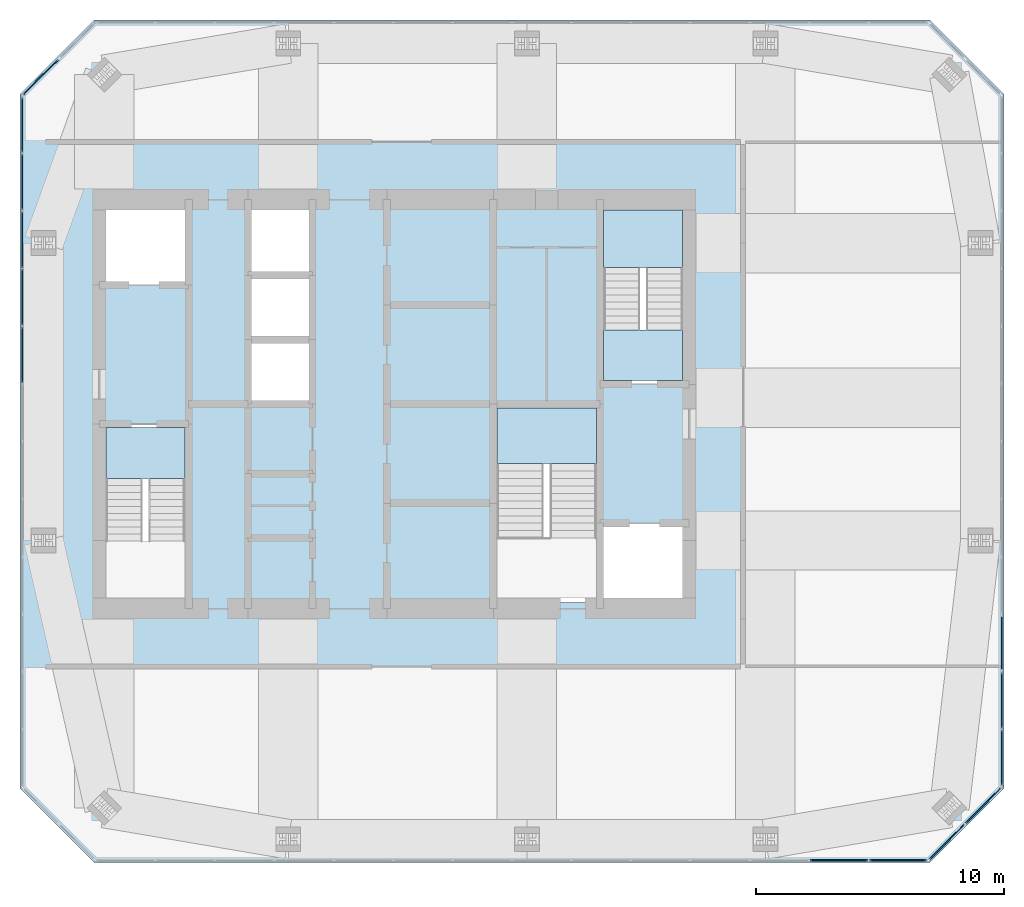
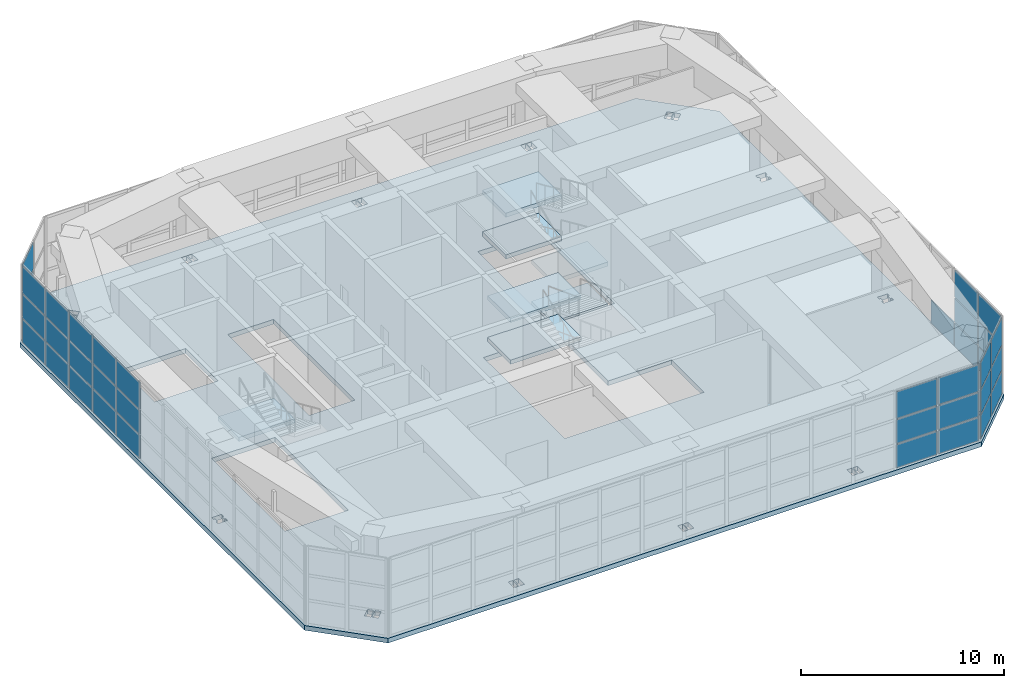
# One storey, part 9 of 14: 37 plates, 8 slabs, 8 elements without a shape of their own.
"""IFC4 building model written with IfcOpenShell, lengths in metres."""

from ifc_helpers import new_model, si_unit, direction, frame, origin, origin_2d, place, context, subcontext, project, spatial, polyline, rectangle, outline, extrude, material, layer, layer_set, type_object, element, aggregate, save


model = new_model("IFC4")

# Units and contexts
model_context = context("Model", 3, precision=1e-05, world=origin(), true_north=direction((0.0, 1.0)))
body_context = subcontext(model_context, "Body", "Model", "MODEL_VIEW")
ifc_project = project(units=[si_unit("LENGTHUNIT", "METRE"), si_unit("AREAUNIT", "SQUARE_METRE"), si_unit("VOLUMEUNIT", "CUBIC_METRE"), si_unit("PLANEANGLEUNIT", "RADIAN"), si_unit("MASSUNIT", "GRAM", prefix="KILO")], contexts=[model_context])

# Site, building, storey
site_placement = place(None, origin())
site = spatial("IfcSite", under=ifc_project, at=site_placement, CompositionType="ELEMENT")
building_placement = place(site_placement, origin())
building = spatial("IfcBuilding", under=site, at=building_placement, Name="Jalousie Tower", CompositionType="ELEMENT")
storey_placement = place(building_placement, frame((0.0, 0.0, 267.75)))
storey = spatial("IfcBuildingStorey", under=building, at=storey_placement, Name="L73", CompositionType="ELEMENT", Elevation=267.75)

# Curtain wall, plates
ifc_material_1 = material(Name="Aluminium curtain wall", Category="aluminium")
curtain_wall_type = type_object("IfcCurtainWallType", Name="CROWN LOUVRE WALL", PredefinedType="USERDEFINED", material=ifc_material_1)
curtain_wall_1_placement = place(storey_placement, origin())
curtain_wall_1 = element("IfcCurtainWall", 1, at=curtain_wall_1_placement, inside=storey, type_object=curtain_wall_type, Name="Crown Louvre Wall L73 1", ObjectType="CROWN LOUVRE WALL", PredefinedType="USERDEFINED")
ifc_material_2 = material(Name="Aluminium storm louvre panel", Category="aluminium")
ifc_layer_1 = layer(ifc_material_2, 0.050048828125)
ifc_layer_set_1 = layer_set([ifc_layer_1], Name="Aluminium storm louvre panel")
plate_type = type_object("IfcPlateType", Name="CROWN LOUVRE WALL PANEL", PredefinedType="CURTAIN_PANEL", material=ifc_layer_set_1)
plate_1_placement = place(storey_placement, frame((49.848876953125, 0.08740234375, 0.080078125), z_axis=(0.0, 0.0, 1.0), x_axis=(1.0, 0.0, 0.0)))
plate_1 = element("IfcPlate", 2, at=plate_1_placement, type_object=plate_type, Name="CW-L panel 13.1", PredefinedType="CURTAIN_PANEL", context=body_context, shape_type="SweptSolid", body=[
    extrude(rectangle(XDim=2.31982421875, YDim=0.050048828125, at=origin_2d()), origin(), (0.0, 0.0, 1.0), 1.3798828125),
])
plate_2_placement = place(storey_placement, frame((49.848876953125, 0.08740234375, 1.5400390625), z_axis=(0.0, 0.0, 1.0), x_axis=(1.0, 0.0, 0.0)))
plate_2 = element("IfcPlate", 3, at=plate_2_placement, type_object=plate_type, Name="CW-L panel 13.2", PredefinedType="CURTAIN_PANEL", context=body_context, shape_type="SweptSolid", body=[
    extrude(rectangle(XDim=2.31982421875, YDim=0.050048828125, at=origin_2d()), origin(), (0.0, 0.0, 1.0), 1.419921875),
])
plate_3_placement = place(storey_placement, frame((49.848876953125, 0.08740234375, 3.0400390625), z_axis=(0.0, 0.0, 1.0), x_axis=(1.0, 0.0, 0.0)))
plate_3 = element("IfcPlate", 4, at=plate_3_placement, type_object=plate_type, Name="CW-L panel 13.3", PredefinedType="CURTAIN_PANEL", context=body_context, shape_type="SweptSolid", body=[
    extrude(rectangle(XDim=2.31982421875, YDim=0.050048828125, at=origin_2d()), origin(), (0.0, 0.0, 1.0), 1.60009765625),
])
plate_4_placement = place(storey_placement, frame((52.228759765625, 0.08740234375, 0.080078125), z_axis=(0.0, 0.0, 1.0), x_axis=(1.0, 0.0, 0.0)))
plate_4 = element("IfcPlate", 5, at=plate_4_placement, type_object=plate_type, Name="CW-L panel 14.1", PredefinedType="CURTAIN_PANEL", context=body_context, shape_type="SweptSolid", body=[
    extrude(rectangle(XDim=2.27978515625, YDim=0.050048828125, at=origin_2d()), origin(), (0.0, 0.0, 1.0), 1.3798828125),
])
plate_5_placement = place(storey_placement, frame((52.228759765625, 0.08740234375, 1.5400390625), z_axis=(0.0, 0.0, 1.0), x_axis=(1.0, 0.0, 0.0)))
plate_5 = element("IfcPlate", 6, at=plate_5_placement, type_object=plate_type, Name="CW-L panel 14.2", PredefinedType="CURTAIN_PANEL", context=body_context, shape_type="SweptSolid", body=[
    extrude(rectangle(XDim=2.27978515625, YDim=0.050048828125, at=origin_2d()), origin(), (0.0, 0.0, 1.0), 1.419921875),
])
plate_6_placement = place(storey_placement, frame((52.228759765625, 0.08740234375, 3.0400390625), z_axis=(0.0, 0.0, 1.0), x_axis=(1.0, 0.0, 0.0)))
plate_6 = element("IfcPlate", 7, at=plate_6_placement, type_object=plate_type, Name="CW-L panel 14.3", PredefinedType="CURTAIN_PANEL", context=body_context, shape_type="SweptSolid", body=[
    extrude(rectangle(XDim=2.27978515625, YDim=0.050048828125, at=origin_2d()), origin(), (0.0, 0.0, 1.0), 1.60009765625),
])
aggregate(curtain_wall_1, [plate_1, plate_2, plate_3, plate_4, plate_5, plate_6])

curtain_wall_2_placement = place(storey_placement, origin())
curtain_wall_2 = element("IfcCurtainWall", 8, at=curtain_wall_2_placement, inside=storey, type_object=curtain_wall_type, Name="Crown Louvre Wall L73 2", ObjectType="CROWN LOUVRE WALL", PredefinedType="USERDEFINED")
plate_7_placement = place(storey_placement, frame((54.203857421875, 0.842529296875, 0.080078125), z_axis=(0.0, 0.0, 1.0), x_axis=(0.707106781187, 0.707106781187, 0.0)))
plate_7 = element("IfcPlate", 9, at=plate_7_placement, type_object=plate_type, Name="CW-L panel 1.1", PredefinedType="CURTAIN_PANEL", context=body_context, shape_type="SweptSolid", body=[
    extrude(rectangle(XDim=1.975830078125, YDim=0.050048828125, at=origin_2d()), origin(), (0.0, 0.0, 1.0), 1.3798828125),
])
plate_8_placement = place(storey_placement, frame((54.203857421875, 0.842529296875, 1.5400390625), z_axis=(0.0, 0.0, 1.0), x_axis=(0.707106781187, 0.707106781187, 0.0)))
plate_8 = element("IfcPlate", 10, at=plate_8_placement, type_object=plate_type, Name="CW-L panel 1.2", PredefinedType="CURTAIN_PANEL", context=body_context, shape_type="SweptSolid", body=[
    extrude(rectangle(XDim=1.975830078125, YDim=0.050048828125, at=origin_2d()), origin(), (0.0, 0.0, 1.0), 1.419921875),
])
plate_9_placement = place(storey_placement, frame((54.203857421875, 0.842529296875, 3.0400390625), z_axis=(0.0, 0.0, 1.0), x_axis=(0.707106781187, 0.707106781187, 0.0)))
plate_9 = element("IfcPlate", 11, at=plate_9_placement, type_object=plate_type, Name="CW-L panel 1.3", PredefinedType="CURTAIN_PANEL", context=body_context, shape_type="SweptSolid", body=[
    extrude(rectangle(XDim=1.975830078125, YDim=0.050048828125, at=origin_2d()), origin(), (0.0, 0.0, 1.0), 1.60009765625),
])
plate_10_placement = place(storey_placement, frame((55.657470703125, 2.296142578125, 0.080078125), z_axis=(0.0, 0.0, 1.0), x_axis=(0.707106781187, 0.707106781187, 0.0)))
plate_10 = element("IfcPlate", 12, at=plate_10_placement, type_object=plate_type, Name="CW-L panel 2.1", PredefinedType="CURTAIN_PANEL", context=body_context, shape_type="SweptSolid", body=[
    extrude(rectangle(XDim=1.975830078125, YDim=0.050048828125, at=origin_2d()), origin(), (0.0, 0.0, 1.0), 1.3798828125),
])
plate_11_placement = place(storey_placement, frame((55.657470703125, 2.296142578125, 1.5400390625), z_axis=(0.0, 0.0, 1.0), x_axis=(0.707106781187, 0.707106781187, 0.0)))
plate_11 = element("IfcPlate", 13, at=plate_11_placement, type_object=plate_type, Name="CW-L panel 2.2", PredefinedType="CURTAIN_PANEL", context=body_context, shape_type="SweptSolid", body=[
    extrude(rectangle(XDim=1.975830078125, YDim=0.050048828125, at=origin_2d()), origin(), (0.0, 0.0, 1.0), 1.419921875),
])
plate_12_placement = place(storey_placement, frame((55.657470703125, 2.296142578125, 3.0400390625), z_axis=(0.0, 0.0, 1.0), x_axis=(0.707106781187, 0.707106781187, 0.0)))
plate_12 = element("IfcPlate", 14, at=plate_12_placement, type_object=plate_type, Name="CW-L panel 2.3", PredefinedType="CURTAIN_PANEL", context=body_context, shape_type="SweptSolid", body=[
    extrude(rectangle(XDim=1.975830078125, YDim=0.050048828125, at=origin_2d()), origin(), (0.0, 0.0, 1.0), 1.60009765625),
])
aggregate(curtain_wall_2, [plate_7, plate_8, plate_9, plate_10, plate_11, plate_12])

curtain_wall_3_placement = place(storey_placement, origin())
curtain_wall_3 = element("IfcCurtainWall", 15, at=curtain_wall_3_placement, inside=storey, type_object=curtain_wall_type, Name="Crown Louvre Wall L73 3", ObjectType="CROWN LOUVRE WALL", PredefinedType="USERDEFINED")
plate_13_placement = place(storey_placement, frame((56.41259765625, 4.233642578125, 0.080078125), z_axis=(0.0, 0.0, 1.0), x_axis=(0.0, 1.0, 0.0)))
plate_13 = element("IfcPlate", 16, at=plate_13_placement, type_object=plate_type, Name="CW-L panel 1.1", PredefinedType="CURTAIN_PANEL", context=body_context, shape_type="SweptSolid", body=[
    extrude(rectangle(XDim=2.204833984375, YDim=0.050048828125, at=origin_2d()), origin(), (0.0, 0.0, 1.0), 1.3798828125),
])
plate_14_placement = place(storey_placement, frame((56.41259765625, 4.233642578125, 1.5400390625), z_axis=(0.0, 0.0, 1.0), x_axis=(0.0, 1.0, 0.0)))
plate_14 = element("IfcPlate", 17, at=plate_14_placement, type_object=plate_type, Name="CW-L panel 1.2", PredefinedType="CURTAIN_PANEL", context=body_context, shape_type="SweptSolid", body=[
    extrude(rectangle(XDim=2.204833984375, YDim=0.050048828125, at=origin_2d()), origin(), (0.0, 0.0, 1.0), 1.419921875),
])
plate_15_placement = place(storey_placement, frame((56.41259765625, 4.233642578125, 3.0400390625), z_axis=(0.0, 0.0, 1.0), x_axis=(0.0, 1.0, 0.0)))
plate_15 = element("IfcPlate", 18, at=plate_15_placement, type_object=plate_type, Name="CW-L panel 1.3", PredefinedType="CURTAIN_PANEL", context=body_context, shape_type="SweptSolid", body=[
    extrude(rectangle(XDim=2.204833984375, YDim=0.050048828125, at=origin_2d()), origin(), (0.0, 0.0, 1.0), 1.60009765625),
])
plate_16_placement = place(storey_placement, frame((56.41259765625, 6.53857421875, 0.080078125), z_axis=(0.0, 0.0, 1.0), x_axis=(0.0, 1.0, 0.0)))
plate_16 = element("IfcPlate", 19, at=plate_16_placement, type_object=plate_type, Name="CW-L panel 2.1", PredefinedType="CURTAIN_PANEL", context=body_context, shape_type="SweptSolid", body=[
    extrude(rectangle(XDim=2.244873046875, YDim=0.050048828125, at=origin_2d()), origin(), (0.0, 0.0, 1.0), 1.3798828125),
])
plate_17_placement = place(storey_placement, frame((56.41259765625, 6.53857421875, 1.5400390625), z_axis=(0.0, 0.0, 1.0), x_axis=(0.0, 1.0, 0.0)))
plate_17 = element("IfcPlate", 20, at=plate_17_placement, type_object=plate_type, Name="CW-L panel 2.2", PredefinedType="CURTAIN_PANEL", context=body_context, shape_type="SweptSolid", body=[
    extrude(rectangle(XDim=2.244873046875, YDim=0.050048828125, at=origin_2d()), origin(), (0.0, 0.0, 1.0), 1.419921875),
])
plate_18_placement = place(storey_placement, frame((56.41259765625, 6.53857421875, 3.0400390625), z_axis=(0.0, 0.0, 1.0), x_axis=(0.0, 1.0, 0.0)))
plate_18 = element("IfcPlate", 21, at=plate_18_placement, type_object=plate_type, Name="CW-L panel 2.3", PredefinedType="CURTAIN_PANEL", context=body_context, shape_type="SweptSolid", body=[
    extrude(rectangle(XDim=2.244873046875, YDim=0.050048828125, at=origin_2d()), origin(), (0.0, 0.0, 1.0), 1.60009765625),
])
plate_19_placement = place(storey_placement, frame((56.41259765625, 8.86328125, 0.080078125), z_axis=(0.0, 0.0, 1.0), x_axis=(0.0, 1.0, 0.0)))
plate_19 = element("IfcPlate", 22, at=plate_19_placement, type_object=plate_type, Name="CW-L panel 3.1", PredefinedType="CURTAIN_PANEL", context=body_context, shape_type="SweptSolid", body=[
    extrude(rectangle(XDim=2.244873046875, YDim=0.050048828125, at=origin_2d()), origin(), (0.0, 0.0, 1.0), 1.3798828125),
])
aggregate(curtain_wall_3, [plate_13, plate_14, plate_15, plate_16, plate_17, plate_18, plate_19])

curtain_wall_4_placement = place(storey_placement, origin())
curtain_wall_4 = element("IfcCurtainWall", 23, at=curtain_wall_4_placement, inside=storey, type_object=curtain_wall_type, Name="Crown Louvre Wall L73 6", ObjectType="CROWN LOUVRE WALL", PredefinedType="USERDEFINED")
plate_20_placement = place(storey_placement, frame((17.642578125, 31.703857421875, 0.080078125), z_axis=(0.0, 0.0, 1.0), x_axis=(-0.707106781187, -0.707106781187, 0.0)))
plate_20 = element("IfcPlate", 24, at=plate_20_placement, type_object=plate_type, Name="CW-L panel 2.1", PredefinedType="CURTAIN_PANEL", context=body_context, shape_type="SweptSolid", body=[
    extrude(rectangle(XDim=1.975830078125, YDim=0.050048828125, at=origin_2d()), origin(), (0.0, 0.0, 1.0), 1.3798828125),
])
plate_21_placement = place(storey_placement, frame((17.642578125, 31.703857421875, 1.5400390625), z_axis=(0.0, 0.0, 1.0), x_axis=(-0.707106781187, -0.707106781187, 0.0)))
plate_21 = element("IfcPlate", 25, at=plate_21_placement, type_object=plate_type, Name="CW-L panel 2.2", PredefinedType="CURTAIN_PANEL", context=body_context, shape_type="SweptSolid", body=[
    extrude(rectangle(XDim=1.975830078125, YDim=0.050048828125, at=origin_2d()), origin(), (0.0, 0.0, 1.0), 1.419921875),
])
plate_22_placement = place(storey_placement, frame((17.642578125, 31.703857421875, 3.0400390625), z_axis=(0.0, 0.0, 1.0), x_axis=(-0.707106781187, -0.707106781187, 0.0)))
plate_22 = element("IfcPlate", 26, at=plate_22_placement, type_object=plate_type, Name="CW-L panel 2.3", PredefinedType="CURTAIN_PANEL", context=body_context, shape_type="SweptSolid", body=[
    extrude(rectangle(XDim=1.975830078125, YDim=0.050048828125, at=origin_2d()), origin(), (0.0, 0.0, 1.0), 1.60009765625),
])
aggregate(curtain_wall_4, [plate_20, plate_21, plate_22])

curtain_wall_5_placement = place(storey_placement, origin())
curtain_wall_5 = element("IfcCurtainWall", 27, at=curtain_wall_5_placement, inside=storey, type_object=curtain_wall_type, Name="Crown Louvre Wall L73 7", ObjectType="CROWN LOUVRE WALL", PredefinedType="USERDEFINED")
plate_23_placement = place(storey_placement, frame((16.887451171875, 29.766357421875, 0.080078125), z_axis=(0.0, 0.0, 1.0), x_axis=(0.0, -1.0, 0.0)))
plate_23 = element("IfcPlate", 28, at=plate_23_placement, type_object=plate_type, Name="CW-L panel 1.1", PredefinedType="CURTAIN_PANEL", context=body_context, shape_type="SweptSolid", body=[
    extrude(rectangle(XDim=2.204833984375, YDim=0.050048828125, at=origin_2d()), origin(), (0.0, 0.0, 1.0), 1.3798828125),
])
plate_24_placement = place(storey_placement, frame((16.887451171875, 29.766357421875, 1.5400390625), z_axis=(0.0, 0.0, 1.0), x_axis=(0.0, -1.0, 0.0)))
plate_24 = element("IfcPlate", 29, at=plate_24_placement, type_object=plate_type, Name="CW-L panel 1.2", PredefinedType="CURTAIN_PANEL", context=body_context, shape_type="SweptSolid", body=[
    extrude(rectangle(XDim=2.204833984375, YDim=0.050048828125, at=origin_2d()), origin(), (0.0, 0.0, 1.0), 1.419921875),
])
plate_25_placement = place(storey_placement, frame((16.887451171875, 29.766357421875, 3.0400390625), z_axis=(0.0, 0.0, 1.0), x_axis=(0.0, -1.0, 0.0)))
plate_25 = element("IfcPlate", 30, at=plate_25_placement, type_object=plate_type, Name="CW-L panel 1.3", PredefinedType="CURTAIN_PANEL", context=body_context, shape_type="SweptSolid", body=[
    extrude(rectangle(XDim=2.204833984375, YDim=0.050048828125, at=origin_2d()), origin(), (0.0, 0.0, 1.0), 1.60009765625),
])
plate_26_placement = place(storey_placement, frame((16.887451171875, 27.46142578125, 0.080078125), z_axis=(0.0, 0.0, 1.0), x_axis=(0.0, -1.0, 0.0)))
plate_26 = element("IfcPlate", 31, at=plate_26_placement, type_object=plate_type, Name="CW-L panel 2.1", PredefinedType="CURTAIN_PANEL", context=body_context, shape_type="SweptSolid", body=[
    extrude(rectangle(XDim=2.244873046875, YDim=0.050048828125, at=origin_2d()), origin(), (0.0, 0.0, 1.0), 1.3798828125),
])
plate_27_placement = place(storey_placement, frame((16.887451171875, 27.46142578125, 1.5400390625), z_axis=(0.0, 0.0, 1.0), x_axis=(0.0, -1.0, 0.0)))
plate_27 = element("IfcPlate", 32, at=plate_27_placement, type_object=plate_type, Name="CW-L panel 2.2", PredefinedType="CURTAIN_PANEL", context=body_context, shape_type="SweptSolid", body=[
    extrude(rectangle(XDim=2.244873046875, YDim=0.050048828125, at=origin_2d()), origin(), (0.0, 0.0, 1.0), 1.419921875),
])
plate_28_placement = place(storey_placement, frame((16.887451171875, 27.46142578125, 3.0400390625), z_axis=(0.0, 0.0, 1.0), x_axis=(0.0, -1.0, 0.0)))
plate_28 = element("IfcPlate", 33, at=plate_28_placement, type_object=plate_type, Name="CW-L panel 2.3", PredefinedType="CURTAIN_PANEL", context=body_context, shape_type="SweptSolid", body=[
    extrude(rectangle(XDim=2.244873046875, YDim=0.050048828125, at=origin_2d()), origin(), (0.0, 0.0, 1.0), 1.60009765625),
])
plate_29_placement = place(storey_placement, frame((16.887451171875, 25.13671875, 0.080078125), z_axis=(0.0, 0.0, 1.0), x_axis=(0.0, -1.0, 0.0)))
plate_29 = element("IfcPlate", 34, at=plate_29_placement, type_object=plate_type, Name="CW-L panel 3.1", PredefinedType="CURTAIN_PANEL", context=body_context, shape_type="SweptSolid", body=[
    extrude(rectangle(XDim=2.244873046875, YDim=0.050048828125, at=origin_2d()), origin(), (0.0, 0.0, 1.0), 1.3798828125),
])
plate_30_placement = place(storey_placement, frame((16.887451171875, 25.13671875, 1.5400390625), z_axis=(0.0, 0.0, 1.0), x_axis=(0.0, -1.0, 0.0)))
plate_30 = element("IfcPlate", 35, at=plate_30_placement, type_object=plate_type, Name="CW-L panel 3.2", PredefinedType="CURTAIN_PANEL", context=body_context, shape_type="SweptSolid", body=[
    extrude(rectangle(XDim=2.244873046875, YDim=0.050048828125, at=origin_2d()), origin(), (0.0, 0.0, 1.0), 1.419921875),
])
plate_31_placement = place(storey_placement, frame((16.887451171875, 25.13671875, 3.0400390625), z_axis=(0.0, 0.0, 1.0), x_axis=(0.0, -1.0, 0.0)))
plate_31 = element("IfcPlate", 36, at=plate_31_placement, type_object=plate_type, Name="CW-L panel 3.3", PredefinedType="CURTAIN_PANEL", context=body_context, shape_type="SweptSolid", body=[
    extrude(rectangle(XDim=2.244873046875, YDim=0.050048828125, at=origin_2d()), origin(), (0.0, 0.0, 1.0), 1.60009765625),
])
plate_32_placement = place(storey_placement, frame((16.887451171875, 22.81201171875, 0.080078125), z_axis=(0.0, 0.0, 1.0), x_axis=(0.0, -1.0, 0.0)))
plate_32 = element("IfcPlate", 37, at=plate_32_placement, type_object=plate_type, Name="CW-L panel 4.1", PredefinedType="CURTAIN_PANEL", context=body_context, shape_type="SweptSolid", body=[
    extrude(rectangle(XDim=2.244873046875, YDim=0.050048828125, at=origin_2d()), origin(), (0.0, 0.0, 1.0), 1.3798828125),
])
plate_33_placement = place(storey_placement, frame((16.887451171875, 22.81201171875, 1.5400390625), z_axis=(0.0, 0.0, 1.0), x_axis=(0.0, -1.0, 0.0)))
plate_33 = element("IfcPlate", 38, at=plate_33_placement, type_object=plate_type, Name="CW-L panel 4.2", PredefinedType="CURTAIN_PANEL", context=body_context, shape_type="SweptSolid", body=[
    extrude(rectangle(XDim=2.244873046875, YDim=0.050048828125, at=origin_2d()), origin(), (0.0, 0.0, 1.0), 1.419921875),
])
plate_34_placement = place(storey_placement, frame((16.887451171875, 22.81201171875, 3.0400390625), z_axis=(0.0, 0.0, 1.0), x_axis=(0.0, -1.0, 0.0)))
plate_34 = element("IfcPlate", 39, at=plate_34_placement, type_object=plate_type, Name="CW-L panel 4.3", PredefinedType="CURTAIN_PANEL", context=body_context, shape_type="SweptSolid", body=[
    extrude(rectangle(XDim=2.244873046875, YDim=0.050048828125, at=origin_2d()), origin(), (0.0, 0.0, 1.0), 1.60009765625),
])
plate_35_placement = place(storey_placement, frame((16.887451171875, 20.487060546875, 0.080078125), z_axis=(0.0, 0.0, 1.0), x_axis=(0.0, -1.0, 0.0)))
plate_35 = element("IfcPlate", 40, at=plate_35_placement, type_object=plate_type, Name="CW-L panel 5.1", PredefinedType="CURTAIN_PANEL", context=body_context, shape_type="SweptSolid", body=[
    extrude(rectangle(XDim=2.244873046875, YDim=0.050048828125, at=origin_2d()), origin(), (0.0, 0.0, 1.0), 1.3798828125),
])
plate_36_placement = place(storey_placement, frame((16.887451171875, 20.487060546875, 1.5400390625), z_axis=(0.0, 0.0, 1.0), x_axis=(0.0, -1.0, 0.0)))
plate_36 = element("IfcPlate", 41, at=plate_36_placement, type_object=plate_type, Name="CW-L panel 5.2", PredefinedType="CURTAIN_PANEL", context=body_context, shape_type="SweptSolid", body=[
    extrude(rectangle(XDim=2.244873046875, YDim=0.050048828125, at=origin_2d()), origin(), (0.0, 0.0, 1.0), 1.419921875),
])
plate_37_placement = place(storey_placement, frame((16.887451171875, 20.487060546875, 3.0400390625), z_axis=(0.0, 0.0, 1.0), x_axis=(0.0, -1.0, 0.0)))
plate_37 = element("IfcPlate", 42, at=plate_37_placement, type_object=plate_type, Name="CW-L panel 5.3", PredefinedType="CURTAIN_PANEL", context=body_context, shape_type="SweptSolid", body=[
    extrude(rectangle(XDim=2.244873046875, YDim=0.050048828125, at=origin_2d()), origin(), (0.0, 0.0, 1.0), 1.60009765625),
])
aggregate(curtain_wall_5, [plate_23, plate_24, plate_25, plate_26, plate_27, plate_28, plate_29, plate_30, plate_31, plate_32, plate_33, plate_34, plate_35, plate_36, plate_37])

# Slab
ifc_material_3 = material(Name="Concrete f'c 40 MPa", Category="concrete")
ifc_layer_2 = layer(ifc_material_3, 0.280029296875)
ifc_layer_set_2 = layer_set([ifc_layer_2], Name="Concrete f'c 40 MPa")
slab_type_1 = type_object("IfcSlabType", Name="FLOOR SLAB 280", PredefinedType="FLOOR", material=ifc_layer_set_2)
slab_1_placement = place(storey_placement, frame((0.0, 0.0, -0.280029296875)))
element("IfcSlab", 43, at=slab_1_placement, inside=storey, type_object=slab_type_1, Name="L73 floor slab", PredefinedType="FLOOR", context=body_context, shape_type="SweptSolid", body=[
    extrude(outline(polyline([(19.800048828125, 0.0), (53.5, 0.0), (56.5, 3.0), (56.5, 31.0), (53.5, 34.0), (19.800048828125, 34.0), (16.800048828125, 31.0), (16.800048828125, 3.0), (19.800048828125, 0.0)]), holes=[polyline([(27.324951171875, 0.663818359375), (27.324951171875, 1.236083984375), (27.425048828125, 1.236083984375), (27.506103515625, 1.236083984375), (27.597900390625, 1.236083984375), (27.597900390625, 0.663818359375), (27.506103515625, 0.663818359375), (27.425048828125, 0.663818359375), (27.324951171875, 0.663818359375)]), polyline([(27.652099609375, 1.236083984375), (27.743896484375, 1.236083984375), (27.824951171875, 1.236083984375), (27.925048828125, 1.236083984375), (27.925048828125, 0.663818359375), (27.824951171875, 0.663818359375), (27.743896484375, 0.663818359375), (27.652099609375, 0.663818359375), (27.652099609375, 1.236083984375)]), polyline([(37.050048828125, 1.236083984375), (37.131103515625, 1.236083984375), (37.222900390625, 1.236083984375), (37.222900390625, 0.663818359375), (37.131103515625, 0.663818359375), (37.050048828125, 0.663818359375), (36.949951171875, 0.663818359375), (36.949951171875, 1.236083984375), (37.050048828125, 1.236083984375)]), polyline([(20.55078125, 2.26806640625), (20.55078125, 2.26806640625), (20.656982421875, 2.162109375), (20.252197265625, 1.757080078125), (20.102783203125, 1.90673828125), (20.102783203125, 1.90673828125), (20.023681640625, 1.985595703125), (20.428466796875, 2.390380859375), (20.55078125, 2.26806640625)]), polyline([(20.26806640625, 2.55078125), (20.26806640625, 2.55078125), (20.390380859375, 2.428466796875), (19.985595703125, 2.023681640625), (19.90673828125, 2.102783203125), (19.90673828125, 2.102783203125), (19.757080078125, 2.252197265625), (20.162109375, 2.656982421875), (20.26806640625, 2.55078125)]), polyline([(18.0361328125, 12.699951171875), (17.4638671875, 12.699951171875), (17.4638671875, 12.881103515625), (17.550048828125, 12.881103515625), (17.550048828125, 13.118896484375), (17.4638671875, 13.118896484375), (17.4638671875, 13.300048828125), (18.0361328125, 13.300048828125), (18.0361328125, 13.118896484375), (17.949951171875, 13.118896484375), (17.949951171875, 12.881103515625), (18.0361328125, 12.881103515625), (18.0361328125, 12.699951171875)]), polyline([(20.0, 10.5), (23.60009765625, 10.5), (23.60009765625, 17.699951171875), (20.0, 17.699951171875), (20.0, 10.5)]), polyline([(26.0, 18.5), (26.0, 26.5), (28.60009765625, 26.5), (28.60009765625, 18.5), (26.0, 18.5)]), polyline([(20.0, 23.300048828125), (23.60009765625, 23.300048828125), (23.60009765625, 26.5), (20.0, 26.5), (20.0, 23.300048828125)]), polyline([(17.4638671875, 25.300048828125), (18.0361328125, 25.300048828125), (18.0361328125, 25.118896484375), (17.949951171875, 25.118896484375), (17.949951171875, 24.881103515625), (18.0361328125, 24.881103515625), (18.0361328125, 24.699951171875), (17.4638671875, 24.699951171875), (17.4638671875, 24.881103515625), (17.550048828125, 24.881103515625), (17.550048828125, 25.118896484375), (17.4638671875, 25.118896484375), (17.4638671875, 25.300048828125)]), polyline([(19.90673828125, 31.897216796875), (19.90673828125, 31.897216796875), (19.985595703125, 31.976318359375), (20.390380859375, 31.571533203125), (20.26806640625, 31.44921875), (20.26806640625, 31.44921875), (20.162109375, 31.343017578125), (19.757080078125, 31.747802734375), (19.90673828125, 31.897216796875)]), polyline([(20.55078125, 31.73193359375), (20.55078125, 31.73193359375), (20.428466796875, 31.609619140625), (20.023681640625, 32.014404296875), (20.102783203125, 32.09326171875), (20.102783203125, 32.09326171875), (20.252197265625, 32.242919921875), (20.656982421875, 31.837890625), (20.55078125, 31.73193359375)]), polyline([(27.506103515625, 32.763916015625), (27.425048828125, 32.763916015625), (27.324951171875, 32.763916015625), (27.324951171875, 33.336181640625), (27.425048828125, 33.336181640625), (27.506103515625, 33.336181640625), (27.597900390625, 33.336181640625), (27.597900390625, 32.763916015625), (27.506103515625, 32.763916015625)]), polyline([(27.743896484375, 33.336181640625), (27.824951171875, 33.336181640625), (27.925048828125, 33.336181640625), (27.925048828125, 32.763916015625), (27.824951171875, 32.763916015625), (27.743896484375, 32.763916015625), (27.652099609375, 32.763916015625), (27.652099609375, 33.336181640625), (27.743896484375, 33.336181640625)]), polyline([(37.449951171875, 0.663818359375), (37.368896484375, 0.663818359375), (37.277099609375, 0.663818359375), (37.277099609375, 1.236083984375), (37.368896484375, 1.236083984375), (37.449951171875, 1.236083984375), (37.550048828125, 1.236083984375), (37.550048828125, 0.663818359375), (37.449951171875, 0.663818359375)]), polyline([(46.756103515625, 0.663818359375), (46.675048828125, 0.663818359375), (46.574951171875, 0.663818359375), (46.574951171875, 1.236083984375), (46.675048828125, 1.236083984375), (46.756103515625, 1.236083984375), (46.847900390625, 1.236083984375), (46.847900390625, 0.663818359375), (46.756103515625, 0.663818359375)]), polyline([(46.993896484375, 1.236083984375), (47.074951171875, 1.236083984375), (47.175048828125, 1.236083984375), (47.175048828125, 0.663818359375), (47.074951171875, 0.663818359375), (46.993896484375, 0.663818359375), (46.902099609375, 0.663818359375), (46.902099609375, 1.236083984375), (46.993896484375, 1.236083984375)]), polyline([(54.397216796875, 1.90673828125), (54.397216796875, 1.90673828125), (54.247802734375, 1.757080078125), (53.843017578125, 2.162109375), (53.94921875, 2.26806640625), (53.94921875, 2.26806640625), (54.071533203125, 2.390380859375), (54.476318359375, 1.985595703125), (54.397216796875, 1.90673828125)]), polyline([(54.23193359375, 2.55078125), (54.23193359375, 2.55078125), (54.337890625, 2.656982421875), (54.742919921875, 2.252197265625), (54.59326171875, 2.102783203125), (54.59326171875, 2.102783203125), (54.514404296875, 2.023681640625), (54.109619140625, 2.428466796875), (54.23193359375, 2.55078125)]), polyline([(35.89990234375, 10.5), (35.89990234375, 18.5), (40.199951171875, 18.5), (40.199951171875, 13.699951171875), (43.800048828125, 13.699951171875), (43.800048828125, 10.5), (35.89990234375, 10.5)]), polyline([(55.263916015625, 13.300048828125), (55.836181640625, 13.300048828125), (55.836181640625, 13.118896484375), (55.75, 13.118896484375), (55.75, 12.881103515625), (55.836181640625, 12.881103515625), (55.836181640625, 12.699951171875), (55.263916015625, 12.699951171875), (55.263916015625, 12.881103515625), (55.35009765625, 12.881103515625), (55.35009765625, 13.118896484375), (55.263916015625, 13.118896484375), (55.263916015625, 13.300048828125)]), polyline([(40.199951171875, 19.300048828125), (43.800048828125, 19.300048828125), (43.800048828125, 26.5), (40.199951171875, 26.5), (40.199951171875, 19.300048828125)]), polyline([(55.263916015625, 25.300048828125), (55.836181640625, 25.300048828125), (55.836181640625, 25.118896484375), (55.75, 25.118896484375), (55.75, 24.881103515625), (55.836181640625, 24.881103515625), (55.836181640625, 24.699951171875), (55.263916015625, 24.699951171875), (55.263916015625, 24.881103515625), (55.35009765625, 24.881103515625), (55.35009765625, 25.118896484375), (55.263916015625, 25.118896484375), (55.263916015625, 25.300048828125)]), polyline([(54.23193359375, 31.44921875), (54.23193359375, 31.44921875), (54.109619140625, 31.571533203125), (54.514404296875, 31.976318359375), (54.59326171875, 31.897216796875), (54.59326171875, 31.897216796875), (54.742919921875, 31.747802734375), (54.337890625, 31.343017578125), (54.23193359375, 31.44921875)]), polyline([(54.397216796875, 32.09326171875), (54.397216796875, 32.09326171875), (54.476318359375, 32.014404296875), (54.071533203125, 31.609619140625), (53.94921875, 31.73193359375), (53.94921875, 31.73193359375), (53.843017578125, 31.837890625), (54.247802734375, 32.242919921875), (54.397216796875, 32.09326171875)]), polyline([(37.222900390625, 32.763916015625), (37.131103515625, 32.763916015625), (37.050048828125, 32.763916015625), (36.949951171875, 32.763916015625), (36.949951171875, 33.336181640625), (37.050048828125, 33.336181640625), (37.131103515625, 33.336181640625), (37.222900390625, 33.336181640625), (37.222900390625, 32.763916015625)]), polyline([(37.368896484375, 33.336181640625), (37.449951171875, 33.336181640625), (37.550048828125, 33.336181640625), (37.550048828125, 32.763916015625), (37.449951171875, 32.763916015625), (37.368896484375, 32.763916015625), (37.277099609375, 32.763916015625), (37.277099609375, 33.336181640625), (37.368896484375, 33.336181640625)]), polyline([(46.675048828125, 33.336181640625), (46.756103515625, 33.336181640625), (46.847900390625, 33.336181640625), (46.847900390625, 32.763916015625), (46.756103515625, 32.763916015625), (46.675048828125, 32.763916015625), (46.574951171875, 32.763916015625), (46.574951171875, 33.336181640625), (46.675048828125, 33.336181640625)]), polyline([(46.993896484375, 33.336181640625), (47.074951171875, 33.336181640625), (47.175048828125, 33.336181640625), (47.175048828125, 32.763916015625), (47.074951171875, 32.763916015625), (46.993896484375, 32.763916015625), (46.902099609375, 32.763916015625), (46.902099609375, 33.336181640625), (46.993896484375, 33.336181640625)])]), origin(), (0.0, 0.0, 1.0), 0.280029296875),
])

# Stair, slab
ifc_material_4 = material(Name="Concrete f'c 40 MPa", Category="concrete")
stair_type = type_object("IfcStairType", Name="EXIT STAIR", PredefinedType="HALF_TURN_STAIR", material=ifc_material_4)
stair_1_placement = place(storey_placement, origin())
stair_1 = element("IfcStair", 44, at=stair_1_placement, inside=storey, type_object=stair_type, Name="Exit stair A L73", PredefinedType="HALF_TURN_STAIR")
ifc_material_5 = material(Name="Concrete f'c 40 MPa", Category="concrete")
ifc_layer_3 = layer(ifc_material_5, 0.25)
ifc_layer_set_3 = layer_set([ifc_layer_3], Name="Concrete f'c 40 MPa")
slab_type_2 = type_object("IfcSlabType", Name="STAIR LANDING 250", PredefinedType="LANDING", material=ifc_layer_set_3)
slab_2_placement = place(storey_placement, frame((0.0, 0.0, 2.25)))
slab_2 = element("IfcSlab", 45, at=slab_2_placement, type_object=slab_type_2, Name="ST-A landing 3", PredefinedType="LANDING", context=body_context, shape_type="SweptSolid", body=[
    extrude(outline(polyline([(20.27490234375, 15.49755859375), (23.449951171875, 15.49755859375), (23.449951171875, 17.550048828125), (20.27490234375, 17.550048828125), (20.27490234375, 15.49755859375)])), origin(), (0.0, 0.0, 1.0), 0.25),
])
aggregate(stair_1, [slab_2])

# Stair, slabs
stair_2_placement = place(storey_placement, origin())
stair_2 = element("IfcStair", 46, at=stair_2_placement, inside=storey, type_object=stair_type, Name="Exit stair B L73", PredefinedType="HALF_TURN_STAIR")
slab_3_placement = place(storey_placement, frame((0.0, 0.0, -0.25)))
slab_3 = element("IfcSlab", 47, at=slab_3_placement, type_object=slab_type_2, Name="ST-B landing 1", PredefinedType="LANDING", context=body_context, shape_type="SweptSolid", body=[
    extrude(outline(polyline([(40.35009765625, 19.449951171875), (43.52490234375, 19.449951171875), (43.52490234375, 21.50244140625), (40.35009765625, 21.50244140625), (40.35009765625, 19.449951171875)])), origin(), (0.0, 0.0, 1.0), 0.25),
])
slab_4_placement = place(storey_placement, frame((0.0, 0.0, 1.0)))
slab_4 = element("IfcSlab", 48, at=slab_4_placement, type_object=slab_type_2, Name="ST-B landing 2", PredefinedType="LANDING", context=body_context, shape_type="SweptSolid", body=[
    extrude(outline(polyline([(40.35009765625, 24.0224609375), (43.52490234375, 24.0224609375), (43.52490234375, 26.324951171875), (40.35009765625, 26.324951171875), (40.35009765625, 24.0224609375)])), origin(), (0.0, 0.0, 1.0), 0.25),
])
slab_5_placement = place(storey_placement, frame((0.0, 0.0, 2.25)))
slab_5 = element("IfcSlab", 49, at=slab_5_placement, type_object=slab_type_2, Name="ST-B landing 3", PredefinedType="LANDING", context=body_context, shape_type="SweptSolid", body=[
    extrude(outline(polyline([(40.35009765625, 19.449951171875), (43.52490234375, 19.449951171875), (43.52490234375, 21.50244140625), (40.35009765625, 21.50244140625), (40.35009765625, 19.449951171875)])), origin(), (0.0, 0.0, 1.0), 0.25),
])
slab_6_placement = place(storey_placement, frame((0.0, 0.0, 3.5)))
slab_6 = element("IfcSlab", 50, at=slab_6_placement, type_object=slab_type_2, Name="ST-B landing 4", PredefinedType="LANDING", context=body_context, shape_type="SweptSolid", body=[
    extrude(outline(polyline([(40.35009765625, 24.0224609375), (43.52490234375, 24.0224609375), (43.52490234375, 26.324951171875), (40.35009765625, 26.324951171875), (40.35009765625, 24.0224609375)])), origin(), (0.0, 0.0, 1.0), 0.25),
])
aggregate(stair_2, [slab_3, slab_4, slab_5, slab_6])

stair_3_placement = place(storey_placement, origin())
stair_3 = element("IfcStair", 51, at=stair_3_placement, inside=storey, type_object=stair_type, Name="Exit stair C L73", PredefinedType="HALF_TURN_STAIR")
slab_7_placement = place(storey_placement, frame((0.0, 0.0, 1.0)))
slab_7 = element("IfcSlab", 52, at=slab_7_placement, type_object=slab_type_2, Name="ST-C landing 2", PredefinedType="LANDING", context=body_context, shape_type="SweptSolid", body=[
    extrude(outline(polyline([(36.050048828125, 16.097412109375), (40.050048828125, 16.097412109375), (40.050048828125, 18.35009765625), (36.050048828125, 18.35009765625), (36.050048828125, 16.097412109375)])), origin(), (0.0, 0.0, 1.0), 0.25),
])
slab_8_placement = place(storey_placement, frame((0.0, 0.0, 3.5)))
slab_8 = element("IfcSlab", 53, at=slab_8_placement, type_object=slab_type_2, Name="ST-C landing 4", PredefinedType="LANDING", context=body_context, shape_type="SweptSolid", body=[
    extrude(outline(polyline([(36.050048828125, 16.097412109375), (40.050048828125, 16.097412109375), (40.050048828125, 18.35009765625), (36.050048828125, 18.35009765625), (36.050048828125, 16.097412109375)])), origin(), (0.0, 0.0, 1.0), 0.25),
])
aggregate(stair_3, [slab_7, slab_8])

save(model, "model.ifc")
